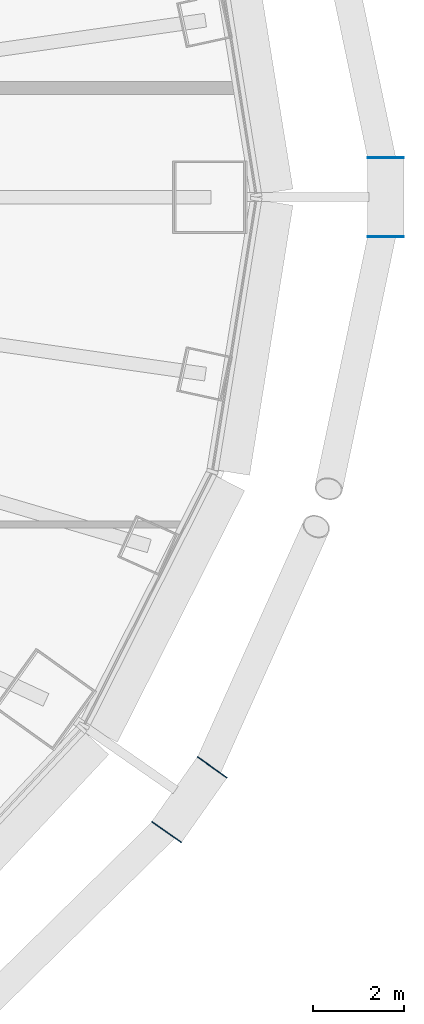
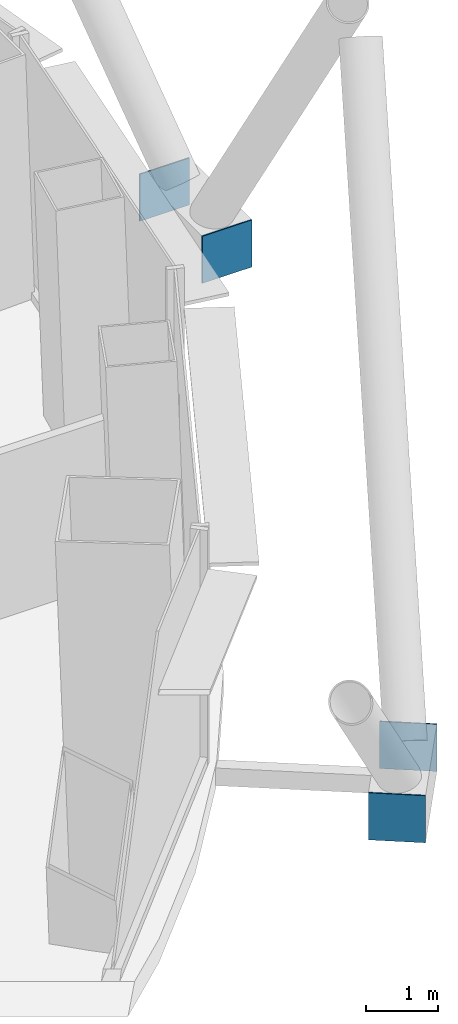
# One storey, part 11 of 16: 4 discrete accessories.
"""IFC4 building model written with IfcOpenShell, lengths in metres."""

from ifc_helpers import new_model, si_unit, direction, frame, origin, origin_2d, place, context, subcontext, project, spatial, rectangle, extrude, material, layer, layer_set, type_object, element, save


model = new_model("IFC4")

# Units and contexts
model_context = context("Model", 3, precision=1e-05, world=origin(), true_north=direction((0.0, 1.0)))
body_context = subcontext(model_context, "Body", "Model", "MODEL_VIEW")
ifc_project = project(units=[si_unit("LENGTHUNIT", "METRE"), si_unit("AREAUNIT", "SQUARE_METRE"), si_unit("VOLUMEUNIT", "CUBIC_METRE"), si_unit("PLANEANGLEUNIT", "RADIAN"), si_unit("MASSUNIT", "GRAM", prefix="KILO")], contexts=[model_context])

# Site, building, storey
site_placement = place(None, origin())
site = spatial("IfcSite", under=ifc_project, at=site_placement, CompositionType="ELEMENT")
building_placement = place(site_placement, origin())
building = spatial("IfcBuilding", under=site, at=building_placement, Name="Siaravel Broadcast Tower", CompositionType="ELEMENT")
storey_placement = place(building_placement, frame((0.0, 0.0, 28.699951171875)))
storey = spatial("IfcBuildingStorey", under=building, at=storey_placement, Name="L05", CompositionType="ELEMENT", Elevation=28.699951171875)

# Discrete accessories
ifc_material = material(Name="Steel S355", Category="steel")
ifc_layer = layer(ifc_material, 0.02001953125)
ifc_layer_set = layer_set([ifc_layer], Name="Steel S355")
discrete_accessory_type = type_object("IfcDiscreteAccessoryType", Name="Steel end plate 20 mm", PredefinedType="USERDEFINED", material=ifc_layer_set)
for number, where, z_axis, x_axis, name in (
    (1, (31.299560546875, 0.87060546875, -0.60009765625), (0.0, 0.0, 1.0), (0.0, 1.0, 0.0), "End plate R03 station 00A"),
    (2, (31.299560546875, -0.87060546875, -0.60009765625), (0.0, 0.0, 1.0), (0.0, 1.0, 0.0), "End plate R03 station 00B"),
    (3, (27.481201171875, -12.54052734375, -0.60009765625), (0.0, 0.0, 1.0), (0.576119939, 0.817365167, 0.0), "End plate R03 station 66A"),
    (4, (26.47802734375, -13.96337890625, -0.60009765625), (0.0, 0.0, 1.0), (0.576119939, 0.817365167, 0.0), "End plate R03 station 66B"),
):
    element("IfcDiscreteAccessory", number, at=place(storey_placement, frame(where, z_axis=z_axis, x_axis=x_axis)), inside=storey, type_object=discrete_accessory_type, Name=name, ObjectType="END PLATE", PredefinedType="USERDEFINED", context=body_context, shape_type="SweptSolid", body=[
        extrude(rectangle(XDim=0.02001953125, YDim=0.800048828125, at=origin_2d()), origin(), (0.0, 0.0, 1.0), 0.800048828125),
    ])

save(model, "model.ifc")
